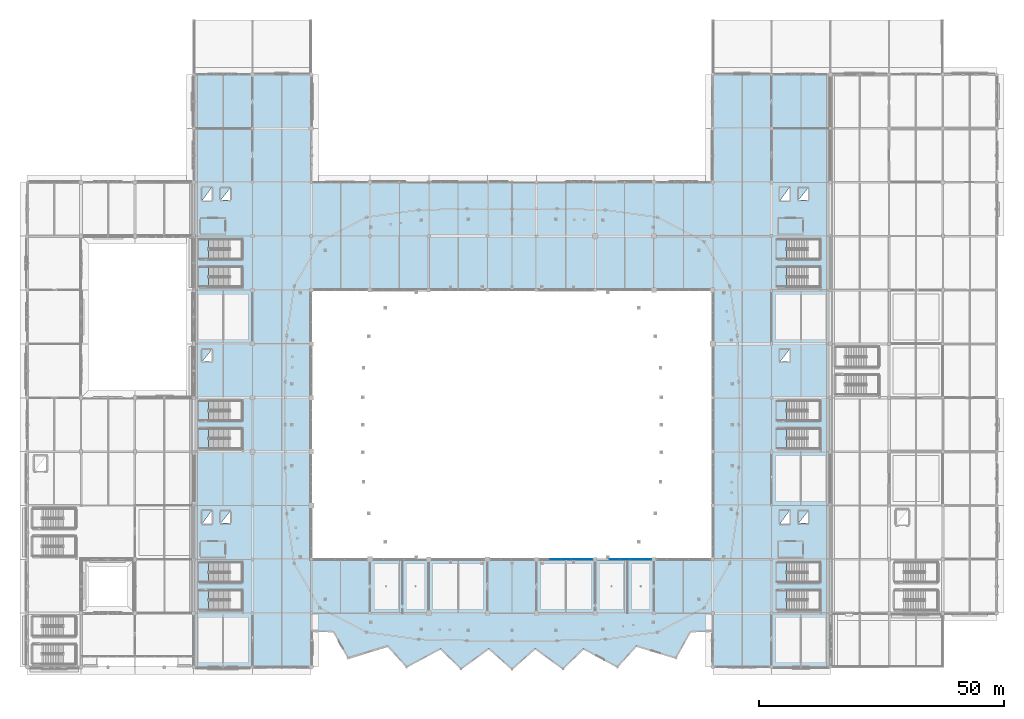
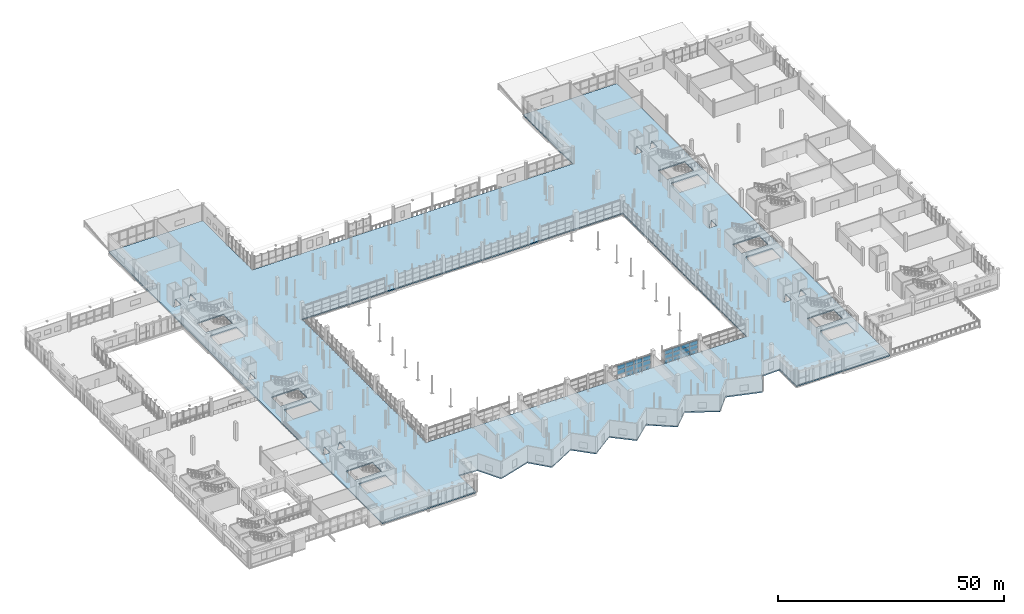
# One storey, part 76 of 143: 23 plates, 1 slab, 2 elements without a shape of their own.
"""IFC4 building model written with IfcOpenShell, lengths in metres."""

import ifcopenshell
import ifcopenshell.guid

model = None  # the IFC model being written
_history = None  # IfcOwnerHistory: only IFC2X3 demands one
_inside = {}  # id of a spatial element -> (the spatial element, [elements in it])
_under = {}  # id of a project, library or spatial element -> (it, [spatial elements below it])
_declared = {}  # id of a project -> (the project, [libraries it declares])
_typed = {}  # id of a type object -> (the type object, [elements of that type])
_made_of = {}  # id of a material, layer set ... -> (it, [elements and type objects made of it])


def new_model(schema):
    """Start an empty IFC model of exactly this schema.

    Asked for "IFC4X3", IfcOpenShell would pick the latest addendum, in which some entities
    have other attributes; the version numbers below select the first issue.
    IFC2X3 requires an IfcOwnerHistory on every rooted entity: one is made here for all.
    """
    global model, _history
    if schema == "IFC4X3":
        model = ifcopenshell.file(schema_version=(4, 3, 0, 0))
    else:
        model = ifcopenshell.file(schema=schema)
    _inside.clear()
    _under.clear()
    _declared.clear()
    _typed.clear()
    _made_of.clear()
    _history = None
    if model.schema == "IFC2X3":
        org = make("IfcOrganization", Name="unknown")
        user = make(
            "IfcPersonAndOrganization",
            ThePerson=make("IfcPerson", FamilyName="unknown"),
            TheOrganization=org,
        )
        app = make(
            "IfcApplication",
            ApplicationDeveloper=org,
            Version="unknown",
            ApplicationFullName="unknown",
            ApplicationIdentifier="unknown",
        )
        _history = make(
            "IfcOwnerHistory",
            OwningUser=user,
            OwningApplication=app,
            ChangeAction="ADDED",
            CreationDate=0,
        )
    return model


def make(cls, **values):
    """One entity of the class cls with the attributes given. An attribute that is None is left unset."""
    return model.create_entity(
        cls, **{name: value for name, value in values.items() if value is not None}
    )


def rooted(cls, **values):
    """An entity with a GlobalId (a new one), such as an element, a storey or a relation."""
    return make(cls, GlobalId=ifcopenshell.guid.new(), OwnerHistory=_history, **values)


def si_unit(unit_type, name, prefix=None):
    """IfcSIUnit, for example si_unit("LENGTHUNIT", "METRE", prefix="MILLI")."""
    return make("IfcSIUnit", UnitType=unit_type, Prefix=prefix, Name=name)


def assignment(units):
    """IfcUnitAssignment: the units of a project."""
    return None if units is None else make("IfcUnitAssignment", Units=units)


def point(xyz):
    """IfcCartesianPoint."""
    return None if xyz is None else make("IfcCartesianPoint", Coordinates=xyz)


def direction(xyz):
    """IfcDirection."""
    return None if xyz is None else make("IfcDirection", DirectionRatios=xyz)


def frame(location, z_axis=None, x_axis=None):
    """IfcAxis2Placement3D, a coordinate frame: its origin and axes. An axis left out is left unset."""
    return make(
        "IfcAxis2Placement3D",
        Location=point(location),
        Axis=direction(z_axis),
        RefDirection=direction(x_axis),
    )


def frame_2d(location, x_axis=None):
    """IfcAxis2Placement2D, a coordinate frame in the plane: its origin and x axis."""
    return make(
        "IfcAxis2Placement2D", Location=point(location), RefDirection=direction(x_axis)
    )


def origin():
    """The frame at (0, 0, 0) with its axes left unset."""
    return frame((0.0, 0.0, 0.0))


def origin_2d():
    """The frame at (0, 0) in the plane with its x axis left unset."""
    return frame_2d((0.0, 0.0))


def place(relative_to, where):
    """IfcLocalPlacement: puts the frame where relative to a parent placement (None: the world)."""
    return make(
        "IfcLocalPlacement", PlacementRelTo=relative_to, RelativePlacement=where
    )


def context(
    kind, dimensions, precision=None, world=None, true_north=None, identifier=None
):
    """IfcGeometricRepresentationContext, for example the 3D "Model" context."""
    return make(
        "IfcGeometricRepresentationContext",
        ContextIdentifier=identifier,
        ContextType=kind,
        CoordinateSpaceDimension=dimensions,
        Precision=precision,
        WorldCoordinateSystem=world,
        TrueNorth=true_north,
    )


def subcontext(parent, identifier, kind, view, scale=None):
    """IfcGeometricRepresentationSubContext, for example "Body" below "Model"."""
    return make(
        "IfcGeometricRepresentationSubContext",
        ContextIdentifier=identifier,
        ContextType=kind,
        ParentContext=parent,
        TargetScale=scale,
        TargetView=view,
    )


def project(units=None, contexts=None):
    """IfcProject with its units and contexts."""
    return rooted(
        "IfcProject",
        Name="project",
        RepresentationContexts=contexts,
        UnitsInContext=assignment(units),
    )


def spatial(cls, under=None, at=None, **own):
    """A site, building, storey or space (cls), placed at a placement, below another one or the project."""
    s = rooted(cls, ObjectPlacement=at, **own)
    if under is not None:
        _under.setdefault(under.id(), (under, []))[1].append(s)
    return s


def polyline(points):
    """IfcPolyline through the points."""
    return make("IfcPolyline", Points=[point(p) for p in points])


def profile(cls, at=None, kind="AREA", **sizes):
    """A parametric profile (cls). Its sizes go by their IFC names, for example OverallWidth=200.0."""
    return make(cls, ProfileType=kind, Position=at, **sizes)


def rectangle(**sizes):
    """IfcRectangleProfileDef."""
    return profile("IfcRectangleProfileDef", **sizes)


def outline(outer, holes=None, kind="AREA"):
    """IfcArbitraryClosedProfileDef: a profile drawn as a closed curve; with holes, ...WithVoids."""
    if holes is None:
        return make("IfcArbitraryClosedProfileDef", ProfileType=kind, OuterCurve=outer)
    return make(
        "IfcArbitraryProfileDefWithVoids",
        ProfileType=kind,
        OuterCurve=outer,
        InnerCurves=holes,
    )


def extrude(swept, where, along, depth):
    """IfcExtrudedAreaSolid: the profile swept, set in the frame where, extruded along a direction by depth."""
    return make(
        "IfcExtrudedAreaSolid",
        SweptArea=swept,
        Position=where,
        ExtrudedDirection=direction(along),
        Depth=depth,
    )


def shape(context_of_items, identifier, shape_type, items):
    """IfcShapeRepresentation: the items that make up one representation, for example the "Body"."""
    return make(
        "IfcShapeRepresentation",
        ContextOfItems=context_of_items,
        RepresentationIdentifier=identifier,
        RepresentationType=shape_type,
        Items=items,
    )


def material(Name=None, Category=None):
    """IfcMaterial."""
    return make("IfcMaterial", Name=Name, Category=Category)


def layer(
    of_material, thickness, ventilated=None, Name=None, Category=None, Priority=None
):
    """IfcMaterialLayer: one layer of a wall or slab, of a material (None: an air gap)."""
    return make(
        "IfcMaterialLayer",
        Material=of_material,
        LayerThickness=thickness,
        IsVentilated=ventilated,
        Name=Name,
        Category=Category,
        Priority=Priority,
    )


def layer_set(layers, Name=None):
    """IfcMaterialLayerSet."""
    return make("IfcMaterialLayerSet", MaterialLayers=layers, LayerSetName=Name)


def made_of(thing, what):
    """Note that an element or type object is made of a material, layer set ...; save() writes the relation."""
    if what is not None:
        _made_of.setdefault(what.id(), (what, []))[1].append(thing)
    return thing


def type_object(cls, material=None, **own):
    """A type object (cls), such as IfcWallType, which elements share."""
    return made_of(rooted(cls, **own), material)


def element(
    cls,
    number,
    at=None,
    inside=None,
    cuts=None,
    type_object=None,
    material=None,
    context=None,
    identifier="Body",
    shape_type=None,
    held_by="IfcProductDefinitionShape",
    body=None,
    shapes=None,
    **own,
):
    """One element of the class cls, such as IfcWall. Its Tag is "e" and its number.

    at: its placement. inside: the storey or other place that contains it. cuts: it is an
    opening in that element (IfcRelVoidsElement). A single representation is given by context,
    identifier, shape_type and body (its items); several are given by shapes. held_by: the class
    of the entity that holds the representations. save() writes the other relations.
    """
    e = rooted(cls, Tag="e%d" % number, ObjectPlacement=at, **own)
    if body is not None:
        shapes = [shape(context, identifier, shape_type, body)]
    if shapes is not None:
        e.Representation = make(held_by, Representations=shapes)
    if inside is not None:
        _inside.setdefault(inside.id(), (inside, []))[1].append(e)
    if cuts is not None:
        rooted(
            "IfcRelVoidsElement", RelatingBuildingElement=cuts, RelatedOpeningElement=e
        )
    if type_object is not None:
        _typed.setdefault(type_object.id(), (type_object, []))[1].append(e)
    return made_of(e, material)


def aggregate(whole, parts):
    """IfcRelAggregates: a whole, such as a stair, and the parts it consists of."""
    return rooted("IfcRelAggregates", RelatingObject=whole, RelatedObjects=parts)


def save(model, path):
    """Write the relations noted so far, then the file.

    IfcRelAggregates (storeys below a building ...), IfcRelContainedInSpatialStructure (elements
    in a storey), IfcRelDefinesByType, IfcRelAssociatesMaterial and IfcRelDeclares: one each for
    every whole, place, type object, material and project.
    """
    for whole, parts in _under.values():
        aggregate(whole, parts)
    for where, things in _inside.values():
        rooted(
            "IfcRelContainedInSpatialStructure",
            RelatedElements=things,
            RelatingStructure=where,
        )
    for kind, things in _typed.values():
        rooted("IfcRelDefinesByType", RelatedObjects=things, RelatingType=kind)
    for what, things in _made_of.values():
        rooted("IfcRelAssociatesMaterial", RelatedObjects=things, RelatingMaterial=what)
    for by, libraries in _declared.values():
        rooted("IfcRelDeclares", RelatingContext=by, RelatedDefinitions=libraries)
    model.write(path)


model = new_model("IFC4")

# Units and contexts
model_context = context("Model", 3, precision=1e-05, world=origin(), true_north=direction((0.0, 1.0)))
body_context = subcontext(model_context, "Body", "Model", "MODEL_VIEW")
ifc_project = project(units=[si_unit("LENGTHUNIT", "METRE"), si_unit("AREAUNIT", "SQUARE_METRE"), si_unit("VOLUMEUNIT", "CUBIC_METRE"), si_unit("PLANEANGLEUNIT", "RADIAN"), si_unit("MASSUNIT", "GRAM", prefix="KILO")], contexts=[model_context])

# Site, building, storey
site_placement = place(None, origin())
site = spatial("IfcSite", under=ifc_project, at=site_placement, CompositionType="ELEMENT")
building_placement = place(site_placement, origin())
building = spatial("IfcBuilding", under=site, at=building_placement, Name="Luwafu Chhajja Arena", CompositionType="ELEMENT")
storey_placement = place(building_placement, frame((0.0, 0.0, 5.39990234375)))
storey = spatial("IfcBuildingStorey", under=building, at=storey_placement, Name="L01", CompositionType="ELEMENT", Elevation=5.39990234375)

# Slab
ifc_material_1 = material(Name="Concrete C35/45", Category="concrete")
ifc_layer_1 = layer(ifc_material_1, 0.320068359375, Name="Concrete C35/45")
ifc_layer_set_1 = layer_set([ifc_layer_1], Name="Concrete C35/45")
slab_type = type_object("IfcSlabType", Name="Club Concourse Slab 320", PredefinedType="FLOOR", material=ifc_layer_set_1)
slab_placement = place(storey_placement, frame((0.0, 0.0, -0.31982421875)))
element("IfcSlab", 1, at=slab_placement, inside=storey, type_object=slab_type, Name="L01 Structural Floor Slab 1", PredefinedType="FLOOR", context=body_context, shape_type="SweptSolid", body=[
    extrude(outline(polyline([(34.0, 121.0), (58.0, 121.0), (58.0, 99.0), (140.0, 99.0), (140.0, 121.0), (163.949951171875, 121.0), (163.949951171875, 0.0), (140.0, 0.0), (140.0, 7.407958984375), (135.426025390625, 7.237060546875), (132.427978515625, 1.864013671875), (124.364013671875, 4.31591796875), (120.510986328125, 0.051025390625), (113.56689453125, 3.77587890625), (109.412109375, -0.343017578125), (103.72802734375, 3.7900390625), (99.0, -0.39990234375), (94.27197265625, 3.7900390625), (88.587890625, -0.343017578125), (84.43310546875, 3.77587890625), (77.489013671875, 0.051025390625), (73.635986328125, 4.31591796875), (65.572998046875, 1.864013671875), (62.573974609375, 7.237060546875), (58.0, 7.407958984375), (58.0, 0.0), (34.050048828125, 0.0), (34.050048828125, 99.050048828125), (34.0, 99.050048828125), (34.0, 121.0)]), holes=[polyline([(161.89990234375, 87.35009765625), (155.06494140625, 87.35009765625), (155.06494140625, 83.31005859375), (161.89990234375, 83.31005859375), (161.89990234375, 87.35009765625)]), polyline([(155.06494140625, 81.68994140625), (155.06494140625, 77.64990234375), (161.89990234375, 77.64990234375), (161.89990234375, 81.68994140625), (155.06494140625, 81.68994140625)]), polyline([(155.06494140625, 15.68994140625), (155.06494140625, 11.64990234375), (161.89990234375, 11.64990234375), (161.89990234375, 15.68994140625), (155.06494140625, 15.68994140625)]), polyline([(161.89990234375, 21.35009765625), (155.06494140625, 21.35009765625), (155.06494140625, 17.31005859375), (161.89990234375, 17.31005859375), (161.89990234375, 21.35009765625)]), polyline([(155.06494140625, 48.68994140625), (155.06494140625, 44.64990234375), (161.89990234375, 44.64990234375), (161.89990234375, 48.68994140625), (155.06494140625, 48.68994140625)]), polyline([(161.89990234375, 54.35009765625), (155.06494140625, 54.35009765625), (155.06494140625, 50.31005859375), (161.89990234375, 50.31005859375), (161.89990234375, 54.35009765625)]), polyline([(157.530029296875, 95.3798828125), (159.469970703125, 95.3798828125), (159.469970703125, 97.820068359375), (157.530029296875, 95.3798828125)]), polyline([(159.469970703125, 29.3798828125), (159.469970703125, 31.820068359375), (157.530029296875, 29.3798828125), (159.469970703125, 29.3798828125)]), polyline([(155.669921875, 62.3798828125), (155.669921875, 64.820068359375), (153.72998046875, 62.3798828125), (155.669921875, 62.3798828125)]), polyline([(155.669921875, 95.2548828125), (155.669921875, 97.945068359375), (153.72998046875, 95.2548828125), (155.669921875, 95.2548828125)]), polyline([(155.669921875, 31.945068359375), (153.72998046875, 29.2548828125), (155.669921875, 29.2548828125), (155.669921875, 31.945068359375)]), polyline([(140.0, 77.0), (58.0, 77.0), (58.0, 22.0), (140.0, 22.0), (140.0, 77.0)]), polyline([(37.06494140625, 83.31005859375), (43.89990234375, 83.31005859375), (43.89990234375, 87.35009765625), (37.06494140625, 87.35009765625), (37.06494140625, 83.31005859375)]), polyline([(43.89990234375, 77.64990234375), (43.89990234375, 81.68994140625), (37.06494140625, 81.68994140625), (37.06494140625, 77.64990234375), (43.89990234375, 77.64990234375)]), polyline([(37.06494140625, 50.31005859375), (43.89990234375, 50.31005859375), (43.89990234375, 54.35009765625), (37.06494140625, 54.35009765625), (37.06494140625, 50.31005859375)]), polyline([(43.89990234375, 44.64990234375), (43.89990234375, 48.68994140625), (37.06494140625, 48.68994140625), (37.06494140625, 44.64990234375), (43.89990234375, 44.64990234375)]), polyline([(37.06494140625, 17.31005859375), (43.89990234375, 17.31005859375), (43.89990234375, 21.35009765625), (37.06494140625, 21.35009765625), (37.06494140625, 17.31005859375)]), polyline([(43.89990234375, 11.64990234375), (43.89990234375, 15.68994140625), (37.06494140625, 15.68994140625), (37.06494140625, 11.64990234375), (43.89990234375, 11.64990234375)]), polyline([(41.469970703125, 97.820068359375), (39.530029296875, 95.3798828125), (41.469970703125, 95.3798828125), (41.469970703125, 97.820068359375)]), polyline([(39.530029296875, 29.3798828125), (41.469970703125, 29.3798828125), (41.469970703125, 31.820068359375), (39.530029296875, 29.3798828125)]), polyline([(35.72998046875, 95.2548828125), (37.669921875, 95.2548828125), (37.669921875, 97.945068359375), (35.72998046875, 95.2548828125)]), polyline([(37.669921875, 64.820068359375), (35.72998046875, 62.3798828125), (37.669921875, 62.3798828125), (37.669921875, 64.820068359375)]), polyline([(37.669921875, 29.2548828125), (37.669921875, 31.945068359375), (35.72998046875, 29.2548828125), (37.669921875, 29.2548828125)])]), origin(), (0.0, 0.0, 1.0), 0.31982421875),
])

# Curtain wall, plates
ifc_material_2 = material(Name="Anodised bronze aluminium", Category="aluminium")
curtain_wall_type = type_object("IfcCurtainWallType", Name="Bowl Concourse Chord Curtain Wall", PredefinedType="USERDEFINED", material=ifc_material_2)
curtain_wall_1_placement = place(storey_placement, origin())
curtain_wall_1 = element("IfcCurtainWall", 2, at=curtain_wall_1_placement, inside=storey, type_object=curtain_wall_type, Name="L01 Bowl Viewing Curtain Wall CWR-L01-05", ObjectType="CURTAIN WALL", PredefinedType="USERDEFINED")
ifc_material_3 = material(Name="Solar-control laminated glass", Category="glass")
ifc_layer_2 = layer(ifc_material_3, 0.028076171875, Name="Solar-control laminated glass")
ifc_layer_set_2 = layer_set([ifc_layer_2], Name="Solar-control laminated glass")
plate_type = type_object("IfcPlateType", Name="Solar Control Double Glazed CW Panel 28", PredefinedType="CURTAIN_PANEL", material=ifc_layer_set_2)
plate_1_placement = place(storey_placement, frame((107.83349609375, 22.0, 1.18017578125), z_axis=(0.0, 0.0, 1.0), x_axis=(1.0, 0.0, 0.0)))
plate_1 = element("IfcPlate", 3, at=plate_1_placement, type_object=plate_type, Name="CW-01 panel 2.2", PredefinedType="CURTAIN_PANEL", context=body_context, shape_type="SweptSolid", body=[
    extrude(rectangle(XDim=2.118896484375, YDim=0.028076171875, at=origin_2d()), origin(), (0.0, 0.0, 1.0), 1.21826171875),
])
plate_2_placement = place(storey_placement, frame((107.83349609375, 22.0, 2.45849609375), z_axis=(0.0, 0.0, 1.0), x_axis=(1.0, 0.0, 0.0)))
plate_2 = element("IfcPlate", 4, at=plate_2_placement, type_object=plate_type, Name="CW-01 panel 2.3", PredefinedType="CURTAIN_PANEL", context=body_context, shape_type="SweptSolid", body=[
    extrude(rectangle(XDim=2.118896484375, YDim=0.028076171875, at=origin_2d()), origin(), (0.0, 0.0, 1.0), 1.188232421875),
])
plate_3_placement = place(storey_placement, frame((110.012451171875, 22.0, 0.06005859375), z_axis=(0.0, 0.0, 1.0), x_axis=(1.0, 0.0, 0.0)))
plate_3 = element("IfcPlate", 5, at=plate_3_placement, type_object=plate_type, Name="CW-01 panel 3.1", PredefinedType="CURTAIN_PANEL", context=body_context, shape_type="SweptSolid", body=[
    extrude(rectangle(XDim=2.118896484375, YDim=0.028076171875, at=origin_2d()), origin(), (0.0, 0.0, 1.0), 1.06005859375),
])
plate_4_placement = place(storey_placement, frame((110.012451171875, 22.0, 1.18017578125), z_axis=(0.0, 0.0, 1.0), x_axis=(1.0, 0.0, 0.0)))
plate_4 = element("IfcPlate", 6, at=plate_4_placement, type_object=plate_type, Name="CW-01 panel 3.2", PredefinedType="CURTAIN_PANEL", context=body_context, shape_type="SweptSolid", body=[
    extrude(rectangle(XDim=2.118896484375, YDim=0.028076171875, at=origin_2d()), origin(), (0.0, 0.0, 1.0), 1.21826171875),
])
plate_5_placement = place(storey_placement, frame((110.012451171875, 22.0, 2.45849609375), z_axis=(0.0, 0.0, 1.0), x_axis=(1.0, 0.0, 0.0)))
plate_5 = element("IfcPlate", 7, at=plate_5_placement, type_object=plate_type, Name="CW-01 panel 3.3", PredefinedType="CURTAIN_PANEL", context=body_context, shape_type="SweptSolid", body=[
    extrude(rectangle(XDim=2.118896484375, YDim=0.028076171875, at=origin_2d()), origin(), (0.0, 0.0, 1.0), 1.188232421875),
])
plate_6_placement = place(storey_placement, frame((112.19140625, 22.0, 0.06005859375), z_axis=(0.0, 0.0, 1.0), x_axis=(1.0, 0.0, 0.0)))
plate_6 = element("IfcPlate", 8, at=plate_6_placement, type_object=plate_type, Name="CW-01 panel 4.1", PredefinedType="CURTAIN_PANEL", context=body_context, shape_type="SweptSolid", body=[
    extrude(rectangle(XDim=2.118896484375, YDim=0.028076171875, at=origin_2d()), origin(), (0.0, 0.0, 1.0), 1.06005859375),
])
plate_7_placement = place(storey_placement, frame((112.19140625, 22.0, 1.18017578125), z_axis=(0.0, 0.0, 1.0), x_axis=(1.0, 0.0, 0.0)))
plate_7 = element("IfcPlate", 9, at=plate_7_placement, type_object=plate_type, Name="CW-01 panel 4.2", PredefinedType="CURTAIN_PANEL", context=body_context, shape_type="SweptSolid", body=[
    extrude(rectangle(XDim=2.118896484375, YDim=0.028076171875, at=origin_2d()), origin(), (0.0, 0.0, 1.0), 1.21826171875),
])
plate_8_placement = place(storey_placement, frame((112.19140625, 22.0, 2.45849609375), z_axis=(0.0, 0.0, 1.0), x_axis=(1.0, 0.0, 0.0)))
plate_8 = element("IfcPlate", 10, at=plate_8_placement, type_object=plate_type, Name="CW-01 panel 4.3", PredefinedType="CURTAIN_PANEL", context=body_context, shape_type="SweptSolid", body=[
    extrude(rectangle(XDim=2.118896484375, YDim=0.028076171875, at=origin_2d()), origin(), (0.0, 0.0, 1.0), 1.188232421875),
])
plate_9_placement = place(storey_placement, frame((114.35546875, 22.0, 0.06005859375), z_axis=(0.0, 0.0, 1.0), x_axis=(1.0, 0.0, 0.0)))
plate_9 = element("IfcPlate", 11, at=plate_9_placement, type_object=plate_type, Name="CW-01 panel 5.1", PredefinedType="CURTAIN_PANEL", context=body_context, shape_type="SweptSolid", body=[
    extrude(rectangle(XDim=2.089111328125, YDim=0.028076171875, at=origin_2d()), origin(), (0.0, 0.0, 1.0), 1.06005859375),
])
plate_10_placement = place(storey_placement, frame((114.35546875, 22.0, 1.18017578125), z_axis=(0.0, 0.0, 1.0), x_axis=(1.0, 0.0, 0.0)))
plate_10 = element("IfcPlate", 12, at=plate_10_placement, type_object=plate_type, Name="CW-01 panel 5.2", PredefinedType="CURTAIN_PANEL", context=body_context, shape_type="SweptSolid", body=[
    extrude(rectangle(XDim=2.089111328125, YDim=0.028076171875, at=origin_2d()), origin(), (0.0, 0.0, 1.0), 1.21826171875),
])
plate_11_placement = place(storey_placement, frame((114.35546875, 22.0, 2.45849609375), z_axis=(0.0, 0.0, 1.0), x_axis=(1.0, 0.0, 0.0)))
plate_11 = element("IfcPlate", 13, at=plate_11_placement, type_object=plate_type, Name="CW-01 panel 5.3", PredefinedType="CURTAIN_PANEL", context=body_context, shape_type="SweptSolid", body=[
    extrude(rectangle(XDim=2.089111328125, YDim=0.028076171875, at=origin_2d()), origin(), (0.0, 0.0, 1.0), 1.188232421875),
])
aggregate(curtain_wall_1, [plate_1, plate_2, plate_3, plate_4, plate_5, plate_6, plate_7, plate_8, plate_9, plate_10, plate_11])

curtain_wall_2_placement = place(storey_placement, origin())
curtain_wall_2 = element("IfcCurtainWall", 14, at=curtain_wall_2_placement, inside=storey, type_object=curtain_wall_type, Name="L01 Bowl Viewing Curtain Wall CWR-L01-06", ObjectType="CURTAIN WALL", PredefinedType="USERDEFINED")
plate_12_placement = place(storey_placement, frame((119.958984375, 22.0, 0.06005859375), z_axis=(0.0, 0.0, 1.0), x_axis=(1.0, 0.0, 0.0)))
plate_12 = element("IfcPlate", 15, at=plate_12_placement, type_object=plate_type, Name="CW-01 panel 1.1", PredefinedType="CURTAIN_PANEL", context=body_context, shape_type="SweptSolid", body=[
    extrude(rectangle(XDim=2.064697265625, YDim=0.028076171875, at=origin_2d()), origin(), (0.0, 0.0, 1.0), 1.06005859375),
])
plate_13_placement = place(storey_placement, frame((119.958984375, 22.0, 1.18017578125), z_axis=(0.0, 0.0, 1.0), x_axis=(1.0, 0.0, 0.0)))
plate_13 = element("IfcPlate", 16, at=plate_13_placement, type_object=plate_type, Name="CW-01 panel 1.2", PredefinedType="CURTAIN_PANEL", context=body_context, shape_type="SweptSolid", body=[
    extrude(rectangle(XDim=2.064697265625, YDim=0.028076171875, at=origin_2d()), origin(), (0.0, 0.0, 1.0), 1.110107421875),
])
plate_14_placement = place(storey_placement, frame((119.958984375, 22.0, 2.35009765625), z_axis=(0.0, 0.0, 1.0), x_axis=(1.0, 0.0, 0.0)))
plate_14 = element("IfcPlate", 17, at=plate_14_placement, type_object=plate_type, Name="CW-01 panel 1.3", PredefinedType="CURTAIN_PANEL", context=body_context, shape_type="SweptSolid", body=[
    extrude(rectangle(XDim=2.064697265625, YDim=0.028076171875, at=origin_2d()), origin(), (0.0, 0.0, 1.0), 1.080078125),
])
plate_15_placement = place(storey_placement, frame((122.098388671875, 22.0, 0.06005859375), z_axis=(0.0, 0.0, 1.0), x_axis=(1.0, 0.0, 0.0)))
plate_15 = element("IfcPlate", 18, at=plate_15_placement, type_object=plate_type, Name="CW-01 panel 2.1", PredefinedType="CURTAIN_PANEL", context=body_context, shape_type="SweptSolid", body=[
    extrude(rectangle(XDim=2.094482421875, YDim=0.028076171875, at=origin_2d()), origin(), (0.0, 0.0, 1.0), 1.06005859375),
])
plate_16_placement = place(storey_placement, frame((122.098388671875, 22.0, 1.18017578125), z_axis=(0.0, 0.0, 1.0), x_axis=(1.0, 0.0, 0.0)))
plate_16 = element("IfcPlate", 19, at=plate_16_placement, type_object=plate_type, Name="CW-01 panel 2.2", PredefinedType="CURTAIN_PANEL", context=body_context, shape_type="SweptSolid", body=[
    extrude(rectangle(XDim=2.094482421875, YDim=0.028076171875, at=origin_2d()), origin(), (0.0, 0.0, 1.0), 1.110107421875),
])
plate_17_placement = place(storey_placement, frame((122.098388671875, 22.0, 2.35009765625), z_axis=(0.0, 0.0, 1.0), x_axis=(1.0, 0.0, 0.0)))
plate_17 = element("IfcPlate", 20, at=plate_17_placement, type_object=plate_type, Name="CW-01 panel 2.3", PredefinedType="CURTAIN_PANEL", context=body_context, shape_type="SweptSolid", body=[
    extrude(rectangle(XDim=2.094482421875, YDim=0.028076171875, at=origin_2d()), origin(), (0.0, 0.0, 1.0), 1.080078125),
])
plate_18_placement = place(storey_placement, frame((124.253173828125, 22.0, 0.06005859375), z_axis=(0.0, 0.0, 1.0), x_axis=(1.0, 0.0, 0.0)))
plate_18 = element("IfcPlate", 21, at=plate_18_placement, type_object=plate_type, Name="CW-01 panel 3.1", PredefinedType="CURTAIN_PANEL", context=body_context, shape_type="SweptSolid", body=[
    extrude(rectangle(XDim=2.094482421875, YDim=0.028076171875, at=origin_2d()), origin(), (0.0, 0.0, 1.0), 1.06005859375),
])
plate_19_placement = place(storey_placement, frame((124.253173828125, 22.0, 1.18017578125), z_axis=(0.0, 0.0, 1.0), x_axis=(1.0, 0.0, 0.0)))
plate_19 = element("IfcPlate", 22, at=plate_19_placement, type_object=plate_type, Name="CW-01 panel 3.2", PredefinedType="CURTAIN_PANEL", context=body_context, shape_type="SweptSolid", body=[
    extrude(rectangle(XDim=2.094482421875, YDim=0.028076171875, at=origin_2d()), origin(), (0.0, 0.0, 1.0), 1.110107421875),
])
plate_20_placement = place(storey_placement, frame((124.253173828125, 22.0, 2.35009765625), z_axis=(0.0, 0.0, 1.0), x_axis=(1.0, 0.0, 0.0)))
plate_20 = element("IfcPlate", 23, at=plate_20_placement, type_object=plate_type, Name="CW-01 panel 3.3", PredefinedType="CURTAIN_PANEL", context=body_context, shape_type="SweptSolid", body=[
    extrude(rectangle(XDim=2.094482421875, YDim=0.028076171875, at=origin_2d()), origin(), (0.0, 0.0, 1.0), 1.080078125),
])
plate_21_placement = place(storey_placement, frame((126.392578125, 22.0, 0.06005859375), z_axis=(0.0, 0.0, 1.0), x_axis=(1.0, 0.0, 0.0)))
plate_21 = element("IfcPlate", 24, at=plate_21_placement, type_object=plate_type, Name="CW-01 panel 4.1", PredefinedType="CURTAIN_PANEL", context=body_context, shape_type="SweptSolid", body=[
    extrude(rectangle(XDim=2.064697265625, YDim=0.028076171875, at=origin_2d()), origin(), (0.0, 0.0, 1.0), 1.06005859375),
])
plate_22_placement = place(storey_placement, frame((126.392578125, 22.0, 1.18017578125), z_axis=(0.0, 0.0, 1.0), x_axis=(1.0, 0.0, 0.0)))
plate_22 = element("IfcPlate", 25, at=plate_22_placement, type_object=plate_type, Name="CW-01 panel 4.2", PredefinedType="CURTAIN_PANEL", context=body_context, shape_type="SweptSolid", body=[
    extrude(rectangle(XDim=2.064697265625, YDim=0.028076171875, at=origin_2d()), origin(), (0.0, 0.0, 1.0), 1.110107421875),
])
plate_23_placement = place(storey_placement, frame((126.392578125, 22.0, 2.35009765625), z_axis=(0.0, 0.0, 1.0), x_axis=(1.0, 0.0, 0.0)))
plate_23 = element("IfcPlate", 26, at=plate_23_placement, type_object=plate_type, Name="CW-01 panel 4.3", PredefinedType="CURTAIN_PANEL", context=body_context, shape_type="SweptSolid", body=[
    extrude(rectangle(XDim=2.064697265625, YDim=0.028076171875, at=origin_2d()), origin(), (0.0, 0.0, 1.0), 1.080078125),
])
aggregate(curtain_wall_2, [plate_12, plate_13, plate_14, plate_15, plate_16, plate_17, plate_18, plate_19, plate_20, plate_21, plate_22, plate_23])

save(model, "model.ifc")
